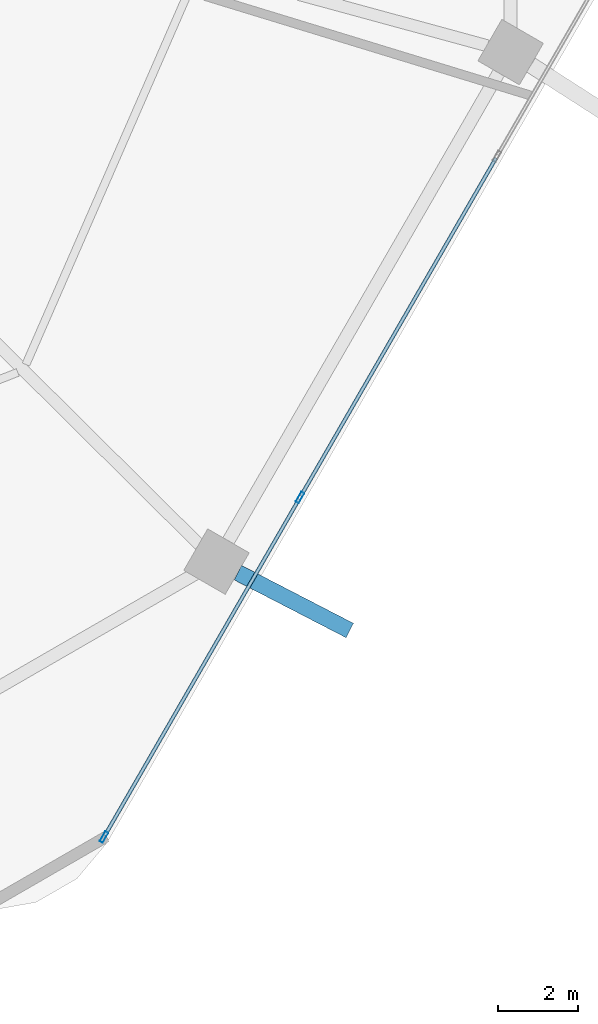
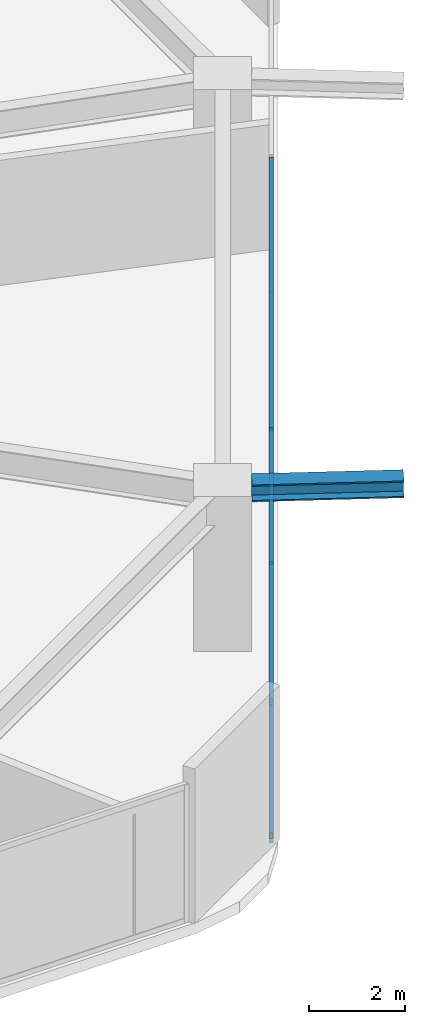
# One storey, part 9 of 25: 6 members, 1 beam, 1 element without a shape of its own.
"""IFC4 building model written with IfcOpenShell, lengths in metres."""

from ifc_helpers import new_model, si_unit, direction, frame, origin, origin_2d, place, context, subcontext, project, spatial, hollow_rectangle, i_section, extrude, material, material_profile, profile_set, type_object, element, aggregate, save


model = new_model("IFC4")

# Units and contexts
model_context = context("Model", 3, precision=1e-05, world=origin(), true_north=direction((0.0, 1.0)))
body_context = subcontext(model_context, "Body", "Model", "MODEL_VIEW")
ifc_project = project(units=[si_unit("LENGTHUNIT", "METRE"), si_unit("AREAUNIT", "SQUARE_METRE"), si_unit("VOLUMEUNIT", "CUBIC_METRE"), si_unit("PLANEANGLEUNIT", "RADIAN"), si_unit("MASSUNIT", "GRAM", prefix="KILO")], contexts=[model_context])

# Site, building, storey
site_placement = place(None, origin())
site = spatial("IfcSite", under=ifc_project, at=site_placement, CompositionType="ELEMENT")
building_placement = place(site_placement, origin())
building = spatial("IfcBuilding", under=site, at=building_placement, Name="Zuhravey Tower", CompositionType="ELEMENT")
storey_placement = place(building_placement, frame((0.0, 0.0, 62.39990234375)))
storey = spatial("IfcBuildingStorey", under=building, at=storey_placement, Name="L15", CompositionType="ELEMENT", Elevation=62.39990234375)

# Curtain wall, members
ifc_material_1 = material(Name="Thermally broken anodised aluminium", Category="aluminium")
curtain_wall_type = type_object("IfcCurtainWallType", Name="School Low-E Unitised Curtain Wall CW1", PredefinedType="NOTDEFINED", material=ifc_material_1)
curtain_wall_placement = place(storey_placement, origin())
curtain_wall = element("IfcCurtainWall", 1, at=curtain_wall_placement, inside=storey, type_object=curtain_wall_type, Name="L15 CW1 CW-L15-F6-1", PredefinedType="NOTDEFINED")
ifc_material_2 = material(Name="Anodised aluminium", Category="aluminium")
ifc_material_profile_1 = material_profile(ifc_material_2, hollow_rectangle(XDim=0.090087890625, YDim=0.284912109375, WallThickness=0.0048828125, at=origin_2d()), Name="ALU-RHS-90x285x5")
ifc_profile_set_1 = profile_set([ifc_material_profile_1], Name="Anodised aluminium")
member_type_1 = type_object("IfcMemberType", Name="Curtain-Wall Mullion 90x180", PredefinedType="MULLION", material=ifc_profile_set_1)
member_1_placement = place(storey_placement, frame((58.612060546875, 13.24853515625, 0.0), z_axis=(0.0, 0.0, 1.0), x_axis=(0.86602552265, -0.499999794119, 0.0)))
member_1 = element("IfcMember", 2, at=member_1_placement, type_object=member_type_1, Name="CW1 mullion 3", PredefinedType="MULLION", context=body_context, shape_type="SweptSolid", body=[
    extrude(hollow_rectangle(XDim=0.090087890625, YDim=0.284912109375, WallThickness=0.0048828125, at=origin_2d()), origin(), (0.0, 0.0, 1.0), 3.4921875),
])
member_2_placement = place(storey_placement, frame((53.701416015625, 4.742919921875, 0.0), z_axis=(0.0, 0.0, 1.0), x_axis=(0.86602552265, -0.499999794119, 0.0)))
member_2 = element("IfcMember", 3, at=member_2_placement, type_object=member_type_1, Name="CW1 mullion 4", PredefinedType="MULLION", context=body_context, shape_type="SweptSolid", body=[
    extrude(hollow_rectangle(XDim=0.090087890625, YDim=0.284912109375, WallThickness=0.0048828125, at=origin_2d()), origin(), (0.0, 0.0, 1.0), 3.4921875),
])
ifc_material_profile_2 = material_profile(ifc_material_2, hollow_rectangle(XDim=0.090087890625, YDim=0.14990234375, WallThickness=0.0048828125, at=origin_2d()), Name="ALU-RHS-90x150x5")
ifc_profile_set_2 = profile_set([ifc_material_profile_2], Name="Anodised aluminium")
member_type_2 = type_object("IfcMemberType", Name="Curtain-Wall Transom 90x150", PredefinedType="USERDEFINED", material=ifc_profile_set_2)
member_3_placement = place(storey_placement, frame((63.52294921875, 21.754150390625, 0.045166015625), z_axis=(-0.499990498062, -0.866030889661, 0.0), x_axis=(0.866030889661, -0.499990498062, 0.0)))
member_3 = element("IfcMember", 4, at=member_3_placement, type_object=member_type_2, Name="CW1 transom 2.1", ObjectType="TRANSOM", PredefinedType="USERDEFINED", context=body_context, shape_type="SweptSolid", body=[
    extrude(hollow_rectangle(XDim=0.090087890625, YDim=0.14990234375, WallThickness=0.0048828125, at=origin_2d()), origin(), (0.0, 0.0, 1.0), 9.776611328125),
])
member_4_placement = place(storey_placement, frame((63.52294921875, 21.754150390625, 3.447021484375), z_axis=(-0.499990498062, -0.866030889661, 0.0), x_axis=(0.866030889661, -0.499990498062, 0.0)))
member_4 = element("IfcMember", 5, at=member_4_placement, type_object=member_type_2, Name="CW1 transom 2.2", ObjectType="TRANSOM", PredefinedType="USERDEFINED", context=body_context, shape_type="SweptSolid", body=[
    extrude(hollow_rectangle(XDim=0.090087890625, YDim=0.14990234375, WallThickness=0.0048828125, at=origin_2d()), origin(), (0.0, 0.0, 1.0), 9.776611328125),
])
member_5_placement = place(storey_placement, frame((58.589599609375, 13.20947265625, 0.045166015625), z_axis=(-0.499989576763, -0.86603142156, 0.0), x_axis=(0.86603142156, -0.499989576763, 0.0)))
member_5 = element("IfcMember", 6, at=member_5_placement, type_object=member_type_2, Name="CW1 transom 3.1", ObjectType="TRANSOM", PredefinedType="USERDEFINED", context=body_context, shape_type="SweptSolid", body=[
    extrude(hollow_rectangle(XDim=0.090087890625, YDim=0.14990234375, WallThickness=0.0048828125, at=origin_2d()), origin(), (0.0, 0.0, 1.0), 9.731201171875),
])
member_6_placement = place(storey_placement, frame((58.589599609375, 13.20947265625, 3.447021484375), z_axis=(-0.499989576763, -0.86603142156, 0.0), x_axis=(0.86603142156, -0.499989576763, 0.0)))
member_6 = element("IfcMember", 7, at=member_6_placement, type_object=member_type_2, Name="CW1 transom 3.2", ObjectType="TRANSOM", PredefinedType="USERDEFINED", context=body_context, shape_type="SweptSolid", body=[
    extrude(hollow_rectangle(XDim=0.090087890625, YDim=0.14990234375, WallThickness=0.0048828125, at=origin_2d()), origin(), (0.0, 0.0, 1.0), 9.731201171875),
])
aggregate(curtain_wall, [member_1, member_2, member_3, member_4, member_5, member_6])

# Beam
ifc_material_3 = material(Name="Steel SM460", Category="steel")
ifc_material_profile_3 = material_profile(ifc_material_3, i_section(OverallWidth=0.406982421875, OverallDepth=0.427978515625, WebThickness=0.02001953125, FlangeThickness=0.034912109375, at=origin_2d()), Name="H-428x407x20x35")
ifc_profile_set_3 = profile_set([ifc_material_profile_3], Name="Steel SM460")
beam_type = type_object("IfcBeamType", Name="Exoskeleton Node Tie Beam H428x407", PredefinedType="BEAM", material=ifc_profile_set_3)
beam_placement = place(storey_placement, frame((57.05615234375, 11.365478515625, 3.7060546875), z_axis=(0.888436426632, -0.458999690449, 0.0), x_axis=(0.458999690449, 0.888436426632, 0.0)))
element("IfcBeam", 8, at=beam_placement, inside=storey, type_object=beam_type, Name="L15 Exoskeleton Node Tie NT1-11", PredefinedType="BEAM", context=body_context, shape_type="SweptSolid", body=[
    extrude(i_section(OverallWidth=0.406982421875, OverallDepth=0.427978515625, WebThickness=0.02001953125, FlangeThickness=0.034912109375, at=origin_2d()), origin(), (0.0, 0.0, 1.0), 3.15478515625),
])

save(model, "model.ifc")
